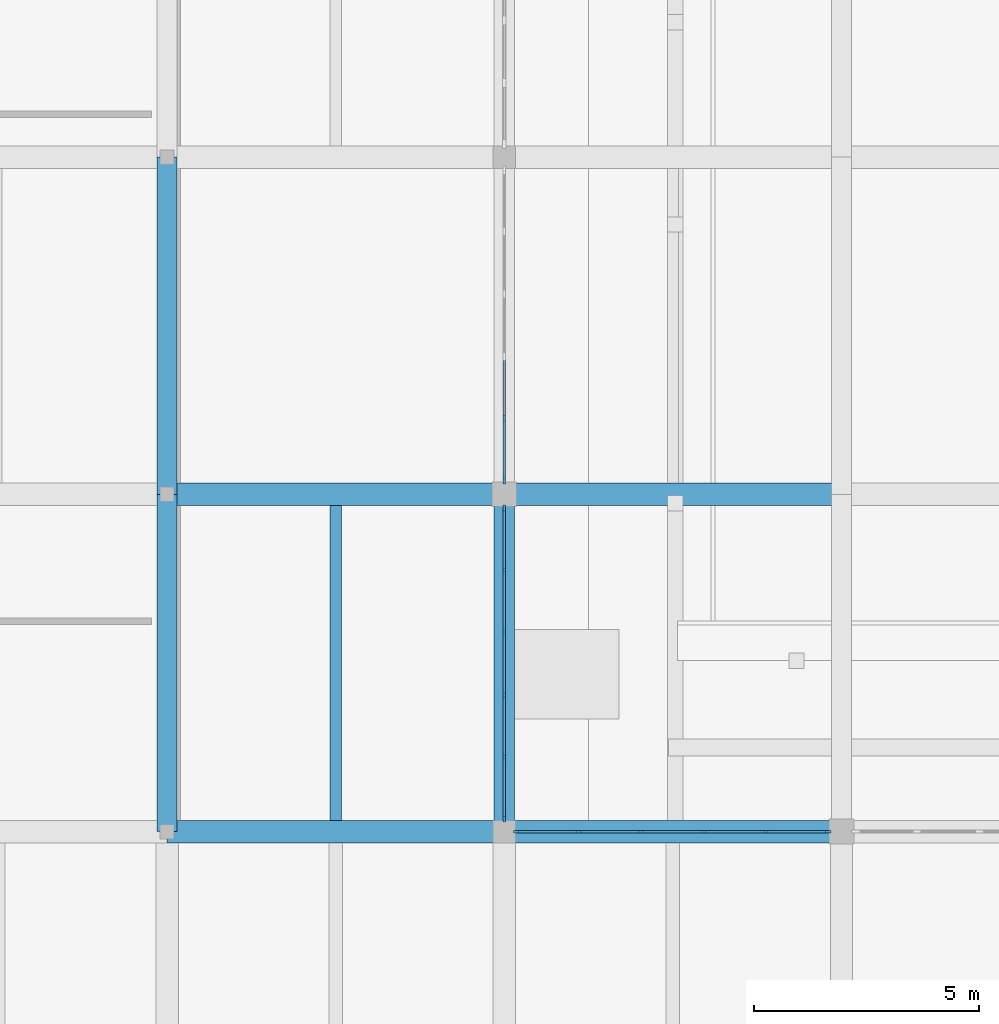
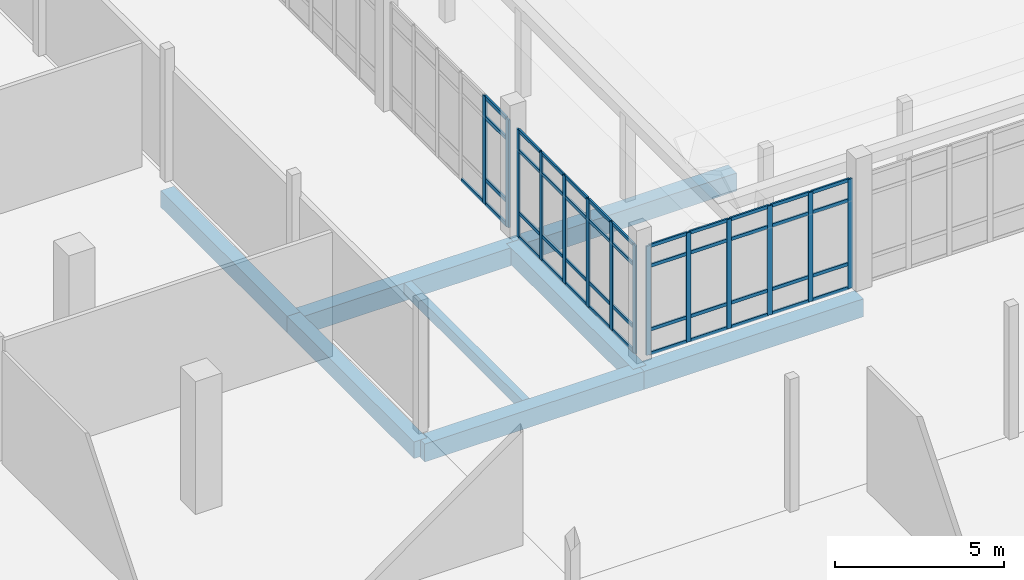
# One storey, part 24 of 125: 59 members, 8 beams, 3 elements without a shape of their own.
"""IFC4 building model written with IfcOpenShell, lengths in metres."""

import ifcopenshell
import ifcopenshell.guid

model = None  # the IFC model being written
_history = None  # IfcOwnerHistory: only IFC2X3 demands one
_inside = {}  # id of a spatial element -> (the spatial element, [elements in it])
_under = {}  # id of a project, library or spatial element -> (it, [spatial elements below it])
_declared = {}  # id of a project -> (the project, [libraries it declares])
_typed = {}  # id of a type object -> (the type object, [elements of that type])
_made_of = {}  # id of a material, layer set ... -> (it, [elements and type objects made of it])


def new_model(schema):
    """Start an empty IFC model of exactly this schema.

    Asked for "IFC4X3", IfcOpenShell would pick the latest addendum, in which some entities
    have other attributes; the version numbers below select the first issue.
    IFC2X3 requires an IfcOwnerHistory on every rooted entity: one is made here for all.
    """
    global model, _history
    if schema == "IFC4X3":
        model = ifcopenshell.file(schema_version=(4, 3, 0, 0))
    else:
        model = ifcopenshell.file(schema=schema)
    _inside.clear()
    _under.clear()
    _declared.clear()
    _typed.clear()
    _made_of.clear()
    _history = None
    if model.schema == "IFC2X3":
        org = make("IfcOrganization", Name="unknown")
        user = make(
            "IfcPersonAndOrganization",
            ThePerson=make("IfcPerson", FamilyName="unknown"),
            TheOrganization=org,
        )
        app = make(
            "IfcApplication",
            ApplicationDeveloper=org,
            Version="unknown",
            ApplicationFullName="unknown",
            ApplicationIdentifier="unknown",
        )
        _history = make(
            "IfcOwnerHistory",
            OwningUser=user,
            OwningApplication=app,
            ChangeAction="ADDED",
            CreationDate=0,
        )
    return model


def make(cls, **values):
    """One entity of the class cls with the attributes given. An attribute that is None is left unset."""
    return model.create_entity(
        cls, **{name: value for name, value in values.items() if value is not None}
    )


def rooted(cls, **values):
    """An entity with a GlobalId (a new one), such as an element, a storey or a relation."""
    return make(cls, GlobalId=ifcopenshell.guid.new(), OwnerHistory=_history, **values)


def si_unit(unit_type, name, prefix=None):
    """IfcSIUnit, for example si_unit("LENGTHUNIT", "METRE", prefix="MILLI")."""
    return make("IfcSIUnit", UnitType=unit_type, Prefix=prefix, Name=name)


def assignment(units):
    """IfcUnitAssignment: the units of a project."""
    return None if units is None else make("IfcUnitAssignment", Units=units)


def point(xyz):
    """IfcCartesianPoint."""
    return None if xyz is None else make("IfcCartesianPoint", Coordinates=xyz)


def direction(xyz):
    """IfcDirection."""
    return None if xyz is None else make("IfcDirection", DirectionRatios=xyz)


def frame(location, z_axis=None, x_axis=None):
    """IfcAxis2Placement3D, a coordinate frame: its origin and axes. An axis left out is left unset."""
    return make(
        "IfcAxis2Placement3D",
        Location=point(location),
        Axis=direction(z_axis),
        RefDirection=direction(x_axis),
    )


def frame_2d(location, x_axis=None):
    """IfcAxis2Placement2D, a coordinate frame in the plane: its origin and x axis."""
    return make(
        "IfcAxis2Placement2D", Location=point(location), RefDirection=direction(x_axis)
    )


def origin():
    """The frame at (0, 0, 0) with its axes left unset."""
    return frame((0.0, 0.0, 0.0))


def origin_2d():
    """The frame at (0, 0) in the plane with its x axis left unset."""
    return frame_2d((0.0, 0.0))


def place(relative_to, where):
    """IfcLocalPlacement: puts the frame where relative to a parent placement (None: the world)."""
    return make(
        "IfcLocalPlacement", PlacementRelTo=relative_to, RelativePlacement=where
    )


def context(
    kind, dimensions, precision=None, world=None, true_north=None, identifier=None
):
    """IfcGeometricRepresentationContext, for example the 3D "Model" context."""
    return make(
        "IfcGeometricRepresentationContext",
        ContextIdentifier=identifier,
        ContextType=kind,
        CoordinateSpaceDimension=dimensions,
        Precision=precision,
        WorldCoordinateSystem=world,
        TrueNorth=true_north,
    )


def subcontext(parent, identifier, kind, view, scale=None):
    """IfcGeometricRepresentationSubContext, for example "Body" below "Model"."""
    return make(
        "IfcGeometricRepresentationSubContext",
        ContextIdentifier=identifier,
        ContextType=kind,
        ParentContext=parent,
        TargetScale=scale,
        TargetView=view,
    )


def project(units=None, contexts=None):
    """IfcProject with its units and contexts."""
    return rooted(
        "IfcProject",
        Name="project",
        RepresentationContexts=contexts,
        UnitsInContext=assignment(units),
    )


def spatial(cls, under=None, at=None, **own):
    """A site, building, storey or space (cls), placed at a placement, below another one or the project."""
    s = rooted(cls, ObjectPlacement=at, **own)
    if under is not None:
        _under.setdefault(under.id(), (under, []))[1].append(s)
    return s


def profile(cls, at=None, kind="AREA", **sizes):
    """A parametric profile (cls). Its sizes go by their IFC names, for example OverallWidth=200.0."""
    return make(cls, ProfileType=kind, Position=at, **sizes)


def rectangle(**sizes):
    """IfcRectangleProfileDef."""
    return profile("IfcRectangleProfileDef", **sizes)


def extrude(swept, where, along, depth):
    """IfcExtrudedAreaSolid: the profile swept, set in the frame where, extruded along a direction by depth."""
    return make(
        "IfcExtrudedAreaSolid",
        SweptArea=swept,
        Position=where,
        ExtrudedDirection=direction(along),
        Depth=depth,
    )


def shape(context_of_items, identifier, shape_type, items):
    """IfcShapeRepresentation: the items that make up one representation, for example the "Body"."""
    return make(
        "IfcShapeRepresentation",
        ContextOfItems=context_of_items,
        RepresentationIdentifier=identifier,
        RepresentationType=shape_type,
        Items=items,
    )


def material(Name=None, Category=None):
    """IfcMaterial."""
    return make("IfcMaterial", Name=Name, Category=Category)


def layer(
    of_material, thickness, ventilated=None, Name=None, Category=None, Priority=None
):
    """IfcMaterialLayer: one layer of a wall or slab, of a material (None: an air gap)."""
    return make(
        "IfcMaterialLayer",
        Material=of_material,
        LayerThickness=thickness,
        IsVentilated=ventilated,
        Name=Name,
        Category=Category,
        Priority=Priority,
    )


def layer_set(layers, Name=None):
    """IfcMaterialLayerSet."""
    return make("IfcMaterialLayerSet", MaterialLayers=layers, LayerSetName=Name)


def material_profile(
    of_material, cross_section, Name=None, Category=None, Priority=None
):
    """IfcMaterialProfile: a cross section and its material."""
    return make(
        "IfcMaterialProfile",
        Name=Name,
        Material=of_material,
        Profile=cross_section,
        Priority=Priority,
        Category=Category,
    )


def profile_set(profiles, Name=None, composite=None):
    """IfcMaterialProfileSet."""
    return make(
        "IfcMaterialProfileSet",
        Name=Name,
        MaterialProfiles=profiles,
        CompositeProfile=composite,
    )


def made_of(thing, what):
    """Note that an element or type object is made of a material, layer set ...; save() writes the relation."""
    if what is not None:
        _made_of.setdefault(what.id(), (what, []))[1].append(thing)
    return thing


def type_object(cls, material=None, **own):
    """A type object (cls), such as IfcWallType, which elements share."""
    return made_of(rooted(cls, **own), material)


def element(
    cls,
    number,
    at=None,
    inside=None,
    cuts=None,
    type_object=None,
    material=None,
    context=None,
    identifier="Body",
    shape_type=None,
    held_by="IfcProductDefinitionShape",
    body=None,
    shapes=None,
    **own,
):
    """One element of the class cls, such as IfcWall. Its Tag is "e" and its number.

    at: its placement. inside: the storey or other place that contains it. cuts: it is an
    opening in that element (IfcRelVoidsElement). A single representation is given by context,
    identifier, shape_type and body (its items); several are given by shapes. held_by: the class
    of the entity that holds the representations. save() writes the other relations.
    """
    e = rooted(cls, Tag="e%d" % number, ObjectPlacement=at, **own)
    if body is not None:
        shapes = [shape(context, identifier, shape_type, body)]
    if shapes is not None:
        e.Representation = make(held_by, Representations=shapes)
    if inside is not None:
        _inside.setdefault(inside.id(), (inside, []))[1].append(e)
    if cuts is not None:
        rooted(
            "IfcRelVoidsElement", RelatingBuildingElement=cuts, RelatedOpeningElement=e
        )
    if type_object is not None:
        _typed.setdefault(type_object.id(), (type_object, []))[1].append(e)
    return made_of(e, material)


def aggregate(whole, parts):
    """IfcRelAggregates: a whole, such as a stair, and the parts it consists of."""
    return rooted("IfcRelAggregates", RelatingObject=whole, RelatedObjects=parts)


def save(model, path):
    """Write the relations noted so far, then the file.

    IfcRelAggregates (storeys below a building ...), IfcRelContainedInSpatialStructure (elements
    in a storey), IfcRelDefinesByType, IfcRelAssociatesMaterial and IfcRelDeclares: one each for
    every whole, place, type object, material and project.
    """
    for whole, parts in _under.values():
        aggregate(whole, parts)
    for where, things in _inside.values():
        rooted(
            "IfcRelContainedInSpatialStructure",
            RelatedElements=things,
            RelatingStructure=where,
        )
    for kind, things in _typed.values():
        rooted("IfcRelDefinesByType", RelatedObjects=things, RelatingType=kind)
    for what, things in _made_of.values():
        rooted("IfcRelAssociatesMaterial", RelatedObjects=things, RelatingMaterial=what)
    for by, libraries in _declared.values():
        rooted("IfcRelDeclares", RelatingContext=by, RelatedDefinitions=libraries)
    model.write(path)


model = new_model("IFC4")

# Units and contexts
model_context = context("Model", 3, precision=1e-05, world=origin(), true_north=direction((0.0, 1.0)))
body_context = subcontext(model_context, "Body", "Model", "MODEL_VIEW")
ifc_project = project(units=[si_unit("LENGTHUNIT", "METRE"), si_unit("AREAUNIT", "SQUARE_METRE"), si_unit("VOLUMEUNIT", "CUBIC_METRE"), si_unit("PLANEANGLEUNIT", "RADIAN"), si_unit("MASSUNIT", "GRAM", prefix="KILO")], contexts=[model_context])

# Site, building, storey
site_placement = place(None, origin())
site = spatial("IfcSite", under=ifc_project, at=site_placement, CompositionType="ELEMENT")
building_placement = place(site_placement, origin())
building = spatial("IfcBuilding", under=site, at=building_placement, Name="Dalvernix Boulevard General Hospital", CompositionType="ELEMENT")
storey_placement = place(building_placement, origin())
storey = spatial("IfcBuildingStorey", under=building, at=storey_placement, Name="L00", CompositionType="ELEMENT", Elevation=0.0)

# Beams
ifc_material_1 = material(Name="Concrete C35/45", Category="concrete")
ifc_material_profile_1 = material_profile(ifc_material_1, rectangle(XDim=0.5, YDim=0.64990234375, at=origin_2d()), Name="RCB 500x650")
ifc_profile_set_1 = profile_set([ifc_material_profile_1], Name="Concrete C35/45")
beam_type_1 = type_object("IfcBeamType", Name="BM-B-02-I", PredefinedType="BEAM", material=ifc_profile_set_1)
for number, where, z_axis, x_axis, name in (
    (1, (30.0, 31.5, -0.68505859375), (1.0, 0.0, 0.0), (0.0, 1.0, 0.0), "L00 E-W girder E:5-6"),
    (2, (37.5, 31.5, -0.68505859375), (1.0, 0.0, 0.0), (0.0, 1.0, 0.0), "L00 E-W girder E:6-7"),
    (3, (30.0, 39.0, -0.68505859375), (1.0, 0.0, 0.0), (0.0, 1.0, 0.0), "L00 E-W girder F:5-6"),
    (4, (37.5, 39.0, -0.68505859375), (1.0, 0.0, 0.0), (0.0, 1.0, 0.0), "L00 E-W girder F:6-7"),
):
    element("IfcBeam", number, at=place(storey_placement, frame(where, z_axis=z_axis, x_axis=x_axis)), inside=storey, type_object=beam_type_1, Name=name, PredefinedType="BEAM", context=body_context, shape_type="SweptSolid", body=[
        extrude(rectangle(XDim=0.5, YDim=0.64990234375, at=origin_2d()), origin(), (0.0, 0.0, 1.0), 7.5),
    ])
ifc_material_profile_2 = material_profile(ifc_material_1, rectangle(XDim=0.449951171875, YDim=0.60009765625, at=origin_2d()), Name="RCB 450x600")
ifc_profile_set_2 = profile_set([ifc_material_profile_2], Name="Concrete C35/45")
beam_type_2 = type_object("IfcBeamType", Name="BM-B-04-I", PredefinedType="BEAM", material=ifc_profile_set_2)
for number, where, z_axis, x_axis, name in (
    (5, (30.0, 31.5, -0.659912109375), (0.0, 1.0, 0.0), (-1.0, 0.0, 0.0), "L00 N-S girder 5:E-F"),
    (6, (30.0, 39.0, -0.659912109375), (0.0, 1.0, 0.0), (-1.0, 0.0, 0.0), "L00 N-S girder 5:F-G"),
    (7, (37.5, 31.5, -0.659912109375), (0.0, 1.0, 0.0), (-1.0, 0.0, 0.0), "L00 N-S girder 6:E-F"),
):
    element("IfcBeam", number, at=place(storey_placement, frame(where, z_axis=z_axis, x_axis=x_axis)), inside=storey, type_object=beam_type_2, Name=name, PredefinedType="BEAM", context=body_context, shape_type="SweptSolid", body=[
        extrude(rectangle(XDim=0.449951171875, YDim=0.60009765625, at=origin_2d()), origin(), (0.0, 0.0, 1.0), 7.5),
    ])
ifc_material_profile_3 = material_profile(ifc_material_1, rectangle(XDim=0.25, YDim=0.39990234375, at=origin_2d()), Name="RCB 250x400")
ifc_profile_set_3 = profile_set([ifc_material_profile_3], Name="Concrete C35/45")
beam_type_3 = type_object("IfcBeamType", Name="BM-JB-02", PredefinedType="JOIST", material=ifc_profile_set_3)
beam_placement = place(storey_placement, frame((33.75, 31.75, -0.56005859375), z_axis=(0.0, 1.0, 0.0), x_axis=(-1.0, 0.0, 0.0)))
element("IfcBeam", 8, at=beam_placement, inside=storey, type_object=beam_type_3, Name="L00 secondary floor beam 5-E", PredefinedType="JOIST", context=body_context, shape_type="SweptSolid", body=[
    extrude(rectangle(XDim=0.25, YDim=0.39990234375, at=origin_2d()), origin(), (0.0, 0.0, 1.0), 7.0),
])

# Curtain wall, members
ifc_material_2 = material(Name="Thermally broken aluminium and solar-control glass curtain wall", Category="aluminium")
ifc_layer_1 = layer(ifc_material_2, 0.159912109375)
ifc_layer_set_1 = layer_set([ifc_layer_1], Name="Thermally broken aluminium and solar-control glass curtain wall (CW-CW-A-70x39)")
curtain_wall_type_1 = type_object("IfcCurtainWallType", Name="CW-CW-A-70x39", PredefinedType="USERDEFINED", material=ifc_layer_set_1)
curtain_wall_1_placement = place(storey_placement, origin())
curtain_wall_1 = element("IfcCurtainWall", 9, at=curtain_wall_1_placement, inside=storey, type_object=curtain_wall_type_1, Name="L00 curtain wall CW-A-70x39 5-4", ObjectType="GLAZED FACADE", PredefinedType="USERDEFINED")
ifc_material_3 = material(Name="Aluminium EN AW-6060", Category="aluminium")
ifc_material_profile_4 = material_profile(ifc_material_3, rectangle(XDim=0.06005859375, YDim=0.159912109375, at=origin_2d()), Name="ALU MULL 60x160")
ifc_profile_set_4 = profile_set([ifc_material_profile_4], Name="Aluminium EN AW-6060")
member_type_1 = type_object("IfcMemberType", Name="MEM-CW-M1", PredefinedType="MULLION", material=ifc_profile_set_4)
member_1_placement = place(storey_placement, frame((37.5, 38.68505859375, 0.0), z_axis=(0.0, 0.0, 1.0), x_axis=(1.0, 0.0, 0.0)))
member_1 = element("IfcMember", 10, at=member_1_placement, type_object=member_type_1, Name="CW-A-70x39 mullion 1", PredefinedType="MULLION", context=body_context, shape_type="SweptSolid", body=[
    extrude(rectangle(XDim=0.06005859375, YDim=0.159912109375, at=origin_2d()), origin(), (0.0, 0.0, 1.0), 3.89990234375),
])
member_2_placement = place(storey_placement, frame((37.5, 37.323974609375, 0.0), z_axis=(0.0, 0.0, 1.0), x_axis=(1.0, 0.0, 0.0)))
member_2 = element("IfcMember", 11, at=member_2_placement, type_object=member_type_1, Name="CW-A-70x39 mullion 2", PredefinedType="MULLION", context=body_context, shape_type="SweptSolid", body=[
    extrude(rectangle(XDim=0.06005859375, YDim=0.159912109375, at=origin_2d()), origin(), (0.0, 0.0, 1.0), 3.89990234375),
])
member_3_placement = place(storey_placement, frame((37.5, 35.93310546875, 0.0), z_axis=(0.0, 0.0, 1.0), x_axis=(1.0, 0.0, 0.0)))
member_3 = element("IfcMember", 12, at=member_3_placement, type_object=member_type_1, Name="CW-A-70x39 mullion 3", PredefinedType="MULLION", context=body_context, shape_type="SweptSolid", body=[
    extrude(rectangle(XDim=0.06005859375, YDim=0.159912109375, at=origin_2d()), origin(), (0.0, 0.0, 1.0), 3.89990234375),
])
member_4_placement = place(storey_placement, frame((37.5, 34.5419921875, 0.0), z_axis=(0.0, 0.0, 1.0), x_axis=(1.0, 0.0, 0.0)))
member_4 = element("IfcMember", 13, at=member_4_placement, type_object=member_type_1, Name="CW-A-70x39 mullion 4", PredefinedType="MULLION", context=body_context, shape_type="SweptSolid", body=[
    extrude(rectangle(XDim=0.06005859375, YDim=0.159912109375, at=origin_2d()), origin(), (0.0, 0.0, 1.0), 3.89990234375),
])
member_5_placement = place(storey_placement, frame((37.5, 33.15087890625, 0.0), z_axis=(0.0, 0.0, 1.0), x_axis=(1.0, 0.0, 0.0)))
member_5 = element("IfcMember", 14, at=member_5_placement, type_object=member_type_1, Name="CW-A-70x39 mullion 5", PredefinedType="MULLION", context=body_context, shape_type="SweptSolid", body=[
    extrude(rectangle(XDim=0.06005859375, YDim=0.159912109375, at=origin_2d()), origin(), (0.0, 0.0, 1.0), 3.89990234375),
])
member_6_placement = place(storey_placement, frame((37.5, 31.7900390625, 0.0), z_axis=(0.0, 0.0, 1.0), x_axis=(1.0, 0.0, 0.0)))
member_6 = element("IfcMember", 15, at=member_6_placement, type_object=member_type_1, Name="CW-A-70x39 mullion 6", PredefinedType="MULLION", context=body_context, shape_type="SweptSolid", body=[
    extrude(rectangle(XDim=0.06005859375, YDim=0.159912109375, at=origin_2d()), origin(), (0.0, 0.0, 1.0), 3.89990234375),
])

ifc_layer_2 = layer(ifc_material_2, 0.159912109375)
ifc_layer_set_2 = layer_set([ifc_layer_2], Name="Thermally broken aluminium and solar-control glass curtain wall (CW-CW-A-70x40)")
curtain_wall_type_2 = type_object("IfcCurtainWallType", Name="CW-CW-A-70x40", PredefinedType="USERDEFINED", material=ifc_layer_set_2)
curtain_wall_2_placement = place(storey_placement, origin())
curtain_wall_2 = element("IfcCurtainWall", 16, at=curtain_wall_2_placement, inside=storey, type_object=curtain_wall_type_2, Name="L00 curtain wall CW-A-70x40 5-4", ObjectType="GLAZED FACADE", PredefinedType="USERDEFINED")
member_7_placement = place(storey_placement, frame((37.7900390625, 31.5, 0.0), z_axis=(0.0, 0.0, 1.0), x_axis=(0.0, 1.0, 0.0)))
member_7 = element("IfcMember", 17, at=member_7_placement, type_object=member_type_1, Name="CW-A-70x40 mullion 1", PredefinedType="MULLION", context=body_context, shape_type="SweptSolid", body=[
    extrude(rectangle(XDim=0.06005859375, YDim=0.159912109375, at=origin_2d()), origin(), (0.0, 0.0, 1.0), 3.949951171875),
])
member_8_placement = place(storey_placement, frame((39.15087890625, 31.5, 0.0), z_axis=(0.0, 0.0, 1.0), x_axis=(0.0, 1.0, 0.0)))
member_8 = element("IfcMember", 18, at=member_8_placement, type_object=member_type_1, Name="CW-A-70x40 mullion 2", PredefinedType="MULLION", context=body_context, shape_type="SweptSolid", body=[
    extrude(rectangle(XDim=0.06005859375, YDim=0.159912109375, at=origin_2d()), origin(), (0.0, 0.0, 1.0), 3.949951171875),
])
member_9_placement = place(storey_placement, frame((40.5419921875, 31.5, 0.0), z_axis=(0.0, 0.0, 1.0), x_axis=(0.0, 1.0, 0.0)))
member_9 = element("IfcMember", 19, at=member_9_placement, type_object=member_type_1, Name="CW-A-70x40 mullion 3", PredefinedType="MULLION", context=body_context, shape_type="SweptSolid", body=[
    extrude(rectangle(XDim=0.06005859375, YDim=0.159912109375, at=origin_2d()), origin(), (0.0, 0.0, 1.0), 3.949951171875),
])
member_10_placement = place(storey_placement, frame((41.93310546875, 31.5, 0.0), z_axis=(0.0, 0.0, 1.0), x_axis=(0.0, 1.0, 0.0)))
member_10 = element("IfcMember", 20, at=member_10_placement, type_object=member_type_1, Name="CW-A-70x40 mullion 4", PredefinedType="MULLION", context=body_context, shape_type="SweptSolid", body=[
    extrude(rectangle(XDim=0.06005859375, YDim=0.159912109375, at=origin_2d()), origin(), (0.0, 0.0, 1.0), 3.949951171875),
])
member_11_placement = place(storey_placement, frame((43.323974609375, 31.5, 0.0), z_axis=(0.0, 0.0, 1.0), x_axis=(0.0, 1.0, 0.0)))
member_11 = element("IfcMember", 21, at=member_11_placement, type_object=member_type_1, Name="CW-A-70x40 mullion 5", PredefinedType="MULLION", context=body_context, shape_type="SweptSolid", body=[
    extrude(rectangle(XDim=0.06005859375, YDim=0.159912109375, at=origin_2d()), origin(), (0.0, 0.0, 1.0), 3.949951171875),
])
member_12_placement = place(storey_placement, frame((44.68505859375, 31.5, 0.0), z_axis=(0.0, 0.0, 1.0), x_axis=(0.0, 1.0, 0.0)))
member_12 = element("IfcMember", 22, at=member_12_placement, type_object=member_type_1, Name="CW-A-70x40 mullion 6", PredefinedType="MULLION", context=body_context, shape_type="SweptSolid", body=[
    extrude(rectangle(XDim=0.06005859375, YDim=0.159912109375, at=origin_2d()), origin(), (0.0, 0.0, 1.0), 3.949951171875),
])

ifc_layer_3 = layer(ifc_material_2, 0.179931640625)
ifc_layer_set_3 = layer_set([ifc_layer_3], Name="Thermally broken aluminium and solar-control glass curtain wall (CW-CW-B-70x39)")
curtain_wall_type_3 = type_object("IfcCurtainWallType", Name="CW-CW-B-70x39", PredefinedType="USERDEFINED", material=ifc_layer_set_3)
curtain_wall_3_placement = place(storey_placement, origin())
curtain_wall_3 = element("IfcCurtainWall", 23, at=curtain_wall_3_placement, inside=storey, type_object=curtain_wall_type_3, Name="L00 curtain wall CW-B-70x39 5-5", ObjectType="GLAZED FACADE", PredefinedType="USERDEFINED")
ifc_material_profile_5 = material_profile(ifc_material_3, rectangle(XDim=0.06494140625, YDim=0.179931640625, at=origin_2d()), Name="ALU MULL 65x180")
ifc_profile_set_5 = profile_set([ifc_material_profile_5], Name="Aluminium EN AW-6060")
member_type_2 = type_object("IfcMemberType", Name="MEM-CW-M2", PredefinedType="MULLION", material=ifc_profile_set_5)
member_13_placement = place(storey_placement, frame((37.5, 40.676025390625, 0.0), z_axis=(0.0, 0.0, 1.0), x_axis=(1.0, 0.0, 0.0)))
member_13 = element("IfcMember", 24, at=member_13_placement, type_object=member_type_2, Name="CW-B-70x39 mullion 5", PredefinedType="MULLION", context=body_context, shape_type="SweptSolid", body=[
    extrude(rectangle(XDim=0.06494140625, YDim=0.179931640625, at=origin_2d()), origin(), (0.0, 0.0, 1.0), 3.89990234375),
])
member_14_placement = place(storey_placement, frame((37.5, 39.3173828125, 0.0), z_axis=(0.0, 0.0, 1.0), x_axis=(1.0, 0.0, 0.0)))
member_14 = element("IfcMember", 25, at=member_14_placement, type_object=member_type_2, Name="CW-B-70x39 mullion 6", PredefinedType="MULLION", context=body_context, shape_type="SweptSolid", body=[
    extrude(rectangle(XDim=0.06494140625, YDim=0.179931640625, at=origin_2d()), origin(), (0.0, 0.0, 1.0), 3.89990234375),
])

# Member
ifc_material_profile_6 = material_profile(ifc_material_3, rectangle(XDim=0.06005859375, YDim=0.1201171875, at=origin_2d()), Name="ALU TRAN 60x120")
ifc_profile_set_6 = profile_set([ifc_material_profile_6], Name="Aluminium EN AW-6060")
member_type_3 = type_object("IfcMemberType", Name="MEM-CW-T1", PredefinedType="USERDEFINED", material=ifc_profile_set_6)
member_15_placement = place(storey_placement, frame((37.5, 38.655029296875, 0.030029296875), z_axis=(0.0, -1.0, 0.0), x_axis=(1.0, 0.0, 0.0)))
member_15 = element("IfcMember", 26, at=member_15_placement, type_object=member_type_3, Name="CW-A-70x39 transom 1.1", ObjectType="TRANSOM", PredefinedType="USERDEFINED", context=body_context, shape_type="SweptSolid", body=[
    extrude(rectangle(XDim=0.06005859375, YDim=0.1201171875, at=origin_2d()), origin(), (0.0, 0.0, 1.0), 1.301025390625),
])

member_16_placement = place(storey_placement, frame((37.5, 38.655029296875, 0.89990234375), z_axis=(0.0, -1.0, 0.0), x_axis=(1.0, 0.0, 0.0)))
member_16 = element("IfcMember", 27, at=member_16_placement, type_object=member_type_3, Name="CW-A-70x39 transom 1.2", ObjectType="TRANSOM", PredefinedType="USERDEFINED", context=body_context, shape_type="SweptSolid", body=[
    extrude(rectangle(XDim=0.06005859375, YDim=0.1201171875, at=origin_2d()), origin(), (0.0, 0.0, 1.0), 1.301025390625),
])

member_17_placement = place(storey_placement, frame((37.5, 38.655029296875, 3.14990234375), z_axis=(0.0, -1.0, 0.0), x_axis=(1.0, 0.0, 0.0)))
member_17 = element("IfcMember", 28, at=member_17_placement, type_object=member_type_3, Name="CW-A-70x39 transom 1.3", ObjectType="TRANSOM", PredefinedType="USERDEFINED", context=body_context, shape_type="SweptSolid", body=[
    extrude(rectangle(XDim=0.06005859375, YDim=0.1201171875, at=origin_2d()), origin(), (0.0, 0.0, 1.0), 1.301025390625),
])

member_18_placement = place(storey_placement, frame((37.5, 38.655029296875, 3.8701171875), z_axis=(0.0, -1.0, 0.0), x_axis=(1.0, 0.0, 0.0)))
member_18 = element("IfcMember", 29, at=member_18_placement, type_object=member_type_3, Name="CW-A-70x39 transom 1.4", ObjectType="TRANSOM", PredefinedType="USERDEFINED", context=body_context, shape_type="SweptSolid", body=[
    extrude(rectangle(XDim=0.06005859375, YDim=0.1201171875, at=origin_2d()), origin(), (0.0, 0.0, 1.0), 1.301025390625),
])

member_19_placement = place(storey_placement, frame((37.5, 37.2939453125, 0.030029296875), z_axis=(0.0, -1.0, 0.0), x_axis=(1.0, 0.0, 0.0)))
member_19 = element("IfcMember", 30, at=member_19_placement, type_object=member_type_3, Name="CW-A-70x39 transom 2.1", ObjectType="TRANSOM", PredefinedType="USERDEFINED", context=body_context, shape_type="SweptSolid", body=[
    extrude(rectangle(XDim=0.06005859375, YDim=0.1201171875, at=origin_2d()), origin(), (0.0, 0.0, 1.0), 1.3310546875),
])

member_20_placement = place(storey_placement, frame((37.5, 37.2939453125, 0.89990234375), z_axis=(0.0, -1.0, 0.0), x_axis=(1.0, 0.0, 0.0)))
member_20 = element("IfcMember", 31, at=member_20_placement, type_object=member_type_3, Name="CW-A-70x39 transom 2.2", ObjectType="TRANSOM", PredefinedType="USERDEFINED", context=body_context, shape_type="SweptSolid", body=[
    extrude(rectangle(XDim=0.06005859375, YDim=0.1201171875, at=origin_2d()), origin(), (0.0, 0.0, 1.0), 1.3310546875),
])

member_21_placement = place(storey_placement, frame((37.5, 37.2939453125, 3.14990234375), z_axis=(0.0, -1.0, 0.0), x_axis=(1.0, 0.0, 0.0)))
member_21 = element("IfcMember", 32, at=member_21_placement, type_object=member_type_3, Name="CW-A-70x39 transom 2.3", ObjectType="TRANSOM", PredefinedType="USERDEFINED", context=body_context, shape_type="SweptSolid", body=[
    extrude(rectangle(XDim=0.06005859375, YDim=0.1201171875, at=origin_2d()), origin(), (0.0, 0.0, 1.0), 1.3310546875),
])

member_22_placement = place(storey_placement, frame((37.5, 37.2939453125, 3.8701171875), z_axis=(0.0, -1.0, 0.0), x_axis=(1.0, 0.0, 0.0)))
member_22 = element("IfcMember", 33, at=member_22_placement, type_object=member_type_3, Name="CW-A-70x39 transom 2.4", ObjectType="TRANSOM", PredefinedType="USERDEFINED", context=body_context, shape_type="SweptSolid", body=[
    extrude(rectangle(XDim=0.06005859375, YDim=0.1201171875, at=origin_2d()), origin(), (0.0, 0.0, 1.0), 1.3310546875),
])

member_23_placement = place(storey_placement, frame((37.5, 35.903076171875, 0.030029296875), z_axis=(0.0, -1.0, 0.0), x_axis=(1.0, 0.0, 0.0)))
member_23 = element("IfcMember", 34, at=member_23_placement, type_object=member_type_3, Name="CW-A-70x39 transom 3.1", ObjectType="TRANSOM", PredefinedType="USERDEFINED", context=body_context, shape_type="SweptSolid", body=[
    extrude(rectangle(XDim=0.06005859375, YDim=0.1201171875, at=origin_2d()), origin(), (0.0, 0.0, 1.0), 1.3310546875),
])

member_24_placement = place(storey_placement, frame((37.5, 35.903076171875, 0.89990234375), z_axis=(0.0, -1.0, 0.0), x_axis=(1.0, 0.0, 0.0)))
member_24 = element("IfcMember", 35, at=member_24_placement, type_object=member_type_3, Name="CW-A-70x39 transom 3.2", ObjectType="TRANSOM", PredefinedType="USERDEFINED", context=body_context, shape_type="SweptSolid", body=[
    extrude(rectangle(XDim=0.06005859375, YDim=0.1201171875, at=origin_2d()), origin(), (0.0, 0.0, 1.0), 1.3310546875),
])

member_25_placement = place(storey_placement, frame((37.5, 35.903076171875, 3.14990234375), z_axis=(0.0, -1.0, 0.0), x_axis=(1.0, 0.0, 0.0)))
member_25 = element("IfcMember", 36, at=member_25_placement, type_object=member_type_3, Name="CW-A-70x39 transom 3.3", ObjectType="TRANSOM", PredefinedType="USERDEFINED", context=body_context, shape_type="SweptSolid", body=[
    extrude(rectangle(XDim=0.06005859375, YDim=0.1201171875, at=origin_2d()), origin(), (0.0, 0.0, 1.0), 1.3310546875),
])

member_26_placement = place(storey_placement, frame((37.5, 35.903076171875, 3.8701171875), z_axis=(0.0, -1.0, 0.0), x_axis=(1.0, 0.0, 0.0)))
member_26 = element("IfcMember", 37, at=member_26_placement, type_object=member_type_3, Name="CW-A-70x39 transom 3.4", ObjectType="TRANSOM", PredefinedType="USERDEFINED", context=body_context, shape_type="SweptSolid", body=[
    extrude(rectangle(XDim=0.06005859375, YDim=0.1201171875, at=origin_2d()), origin(), (0.0, 0.0, 1.0), 1.3310546875),
])

member_27_placement = place(storey_placement, frame((37.5, 34.511962890625, 0.030029296875), z_axis=(0.0, -1.0, 0.0), x_axis=(1.0, 0.0, 0.0)))
member_27 = element("IfcMember", 38, at=member_27_placement, type_object=member_type_3, Name="CW-A-70x39 transom 4.1", ObjectType="TRANSOM", PredefinedType="USERDEFINED", context=body_context, shape_type="SweptSolid", body=[
    extrude(rectangle(XDim=0.06005859375, YDim=0.1201171875, at=origin_2d()), origin(), (0.0, 0.0, 1.0), 1.3310546875),
])

member_28_placement = place(storey_placement, frame((37.5, 34.511962890625, 0.89990234375), z_axis=(0.0, -1.0, 0.0), x_axis=(1.0, 0.0, 0.0)))
member_28 = element("IfcMember", 39, at=member_28_placement, type_object=member_type_3, Name="CW-A-70x39 transom 4.2", ObjectType="TRANSOM", PredefinedType="USERDEFINED", context=body_context, shape_type="SweptSolid", body=[
    extrude(rectangle(XDim=0.06005859375, YDim=0.1201171875, at=origin_2d()), origin(), (0.0, 0.0, 1.0), 1.3310546875),
])

member_29_placement = place(storey_placement, frame((37.5, 34.511962890625, 3.14990234375), z_axis=(0.0, -1.0, 0.0), x_axis=(1.0, 0.0, 0.0)))
member_29 = element("IfcMember", 40, at=member_29_placement, type_object=member_type_3, Name="CW-A-70x39 transom 4.3", ObjectType="TRANSOM", PredefinedType="USERDEFINED", context=body_context, shape_type="SweptSolid", body=[
    extrude(rectangle(XDim=0.06005859375, YDim=0.1201171875, at=origin_2d()), origin(), (0.0, 0.0, 1.0), 1.3310546875),
])

member_30_placement = place(storey_placement, frame((37.5, 34.511962890625, 3.8701171875), z_axis=(0.0, -1.0, 0.0), x_axis=(1.0, 0.0, 0.0)))
member_30 = element("IfcMember", 41, at=member_30_placement, type_object=member_type_3, Name="CW-A-70x39 transom 4.4", ObjectType="TRANSOM", PredefinedType="USERDEFINED", context=body_context, shape_type="SweptSolid", body=[
    extrude(rectangle(XDim=0.06005859375, YDim=0.1201171875, at=origin_2d()), origin(), (0.0, 0.0, 1.0), 1.3310546875),
])

member_31_placement = place(storey_placement, frame((37.5, 33.12109375, 0.030029296875), z_axis=(0.0, -1.0, 0.0), x_axis=(1.0, 0.0, 0.0)))
member_31 = element("IfcMember", 42, at=member_31_placement, type_object=member_type_3, Name="CW-A-70x39 transom 5.1", ObjectType="TRANSOM", PredefinedType="USERDEFINED", context=body_context, shape_type="SweptSolid", body=[
    extrude(rectangle(XDim=0.06005859375, YDim=0.1201171875, at=origin_2d()), origin(), (0.0, 0.0, 1.0), 1.301025390625),
])

member_32_placement = place(storey_placement, frame((37.5, 33.12109375, 0.89990234375), z_axis=(0.0, -1.0, 0.0), x_axis=(1.0, 0.0, 0.0)))
member_32 = element("IfcMember", 43, at=member_32_placement, type_object=member_type_3, Name="CW-A-70x39 transom 5.2", ObjectType="TRANSOM", PredefinedType="USERDEFINED", context=body_context, shape_type="SweptSolid", body=[
    extrude(rectangle(XDim=0.06005859375, YDim=0.1201171875, at=origin_2d()), origin(), (0.0, 0.0, 1.0), 1.301025390625),
])

member_33_placement = place(storey_placement, frame((37.5, 33.12109375, 3.14990234375), z_axis=(0.0, -1.0, 0.0), x_axis=(1.0, 0.0, 0.0)))
member_33 = element("IfcMember", 44, at=member_33_placement, type_object=member_type_3, Name="CW-A-70x39 transom 5.3", ObjectType="TRANSOM", PredefinedType="USERDEFINED", context=body_context, shape_type="SweptSolid", body=[
    extrude(rectangle(XDim=0.06005859375, YDim=0.1201171875, at=origin_2d()), origin(), (0.0, 0.0, 1.0), 1.301025390625),
])

member_34_placement = place(storey_placement, frame((37.5, 33.12109375, 3.8701171875), z_axis=(0.0, -1.0, 0.0), x_axis=(1.0, 0.0, 0.0)))
member_34 = element("IfcMember", 45, at=member_34_placement, type_object=member_type_3, Name="CW-A-70x39 transom 5.4", ObjectType="TRANSOM", PredefinedType="USERDEFINED", context=body_context, shape_type="SweptSolid", body=[
    extrude(rectangle(XDim=0.06005859375, YDim=0.1201171875, at=origin_2d()), origin(), (0.0, 0.0, 1.0), 1.301025390625),
])

aggregate(curtain_wall_1, [member_1, member_2, member_3, member_4, member_5, member_6, member_15, member_16, member_17, member_18, member_19, member_20, member_21, member_22, member_23, member_24, member_25, member_26, member_27, member_28, member_29, member_30, member_31, member_32, member_33, member_34])

member_35_placement = place(storey_placement, frame((37.820068359375, 31.5, 0.030029296875), z_axis=(1.0, 0.0, 0.0), x_axis=(0.0, 1.0, 0.0)))
member_35 = element("IfcMember", 46, at=member_35_placement, type_object=member_type_3, Name="CW-A-70x40 transom 1.1", ObjectType="TRANSOM", PredefinedType="USERDEFINED", context=body_context, shape_type="SweptSolid", body=[
    extrude(rectangle(XDim=0.06005859375, YDim=0.1201171875, at=origin_2d()), origin(), (0.0, 0.0, 1.0), 1.301025390625),
])

member_36_placement = place(storey_placement, frame((37.820068359375, 31.5, 0.89990234375), z_axis=(1.0, 0.0, 0.0), x_axis=(0.0, 1.0, 0.0)))
member_36 = element("IfcMember", 47, at=member_36_placement, type_object=member_type_3, Name="CW-A-70x40 transom 1.2", ObjectType="TRANSOM", PredefinedType="USERDEFINED", context=body_context, shape_type="SweptSolid", body=[
    extrude(rectangle(XDim=0.06005859375, YDim=0.1201171875, at=origin_2d()), origin(), (0.0, 0.0, 1.0), 1.301025390625),
])

member_37_placement = place(storey_placement, frame((37.820068359375, 31.5, 3.199951171875), z_axis=(1.0, 0.0, 0.0), x_axis=(0.0, 1.0, 0.0)))
member_37 = element("IfcMember", 48, at=member_37_placement, type_object=member_type_3, Name="CW-A-70x40 transom 1.3", ObjectType="TRANSOM", PredefinedType="USERDEFINED", context=body_context, shape_type="SweptSolid", body=[
    extrude(rectangle(XDim=0.06005859375, YDim=0.1201171875, at=origin_2d()), origin(), (0.0, 0.0, 1.0), 1.301025390625),
])

member_38_placement = place(storey_placement, frame((37.820068359375, 31.5, 3.919921875), z_axis=(1.0, 0.0, 0.0), x_axis=(0.0, 1.0, 0.0)))
member_38 = element("IfcMember", 49, at=member_38_placement, type_object=member_type_3, Name="CW-A-70x40 transom 1.4", ObjectType="TRANSOM", PredefinedType="USERDEFINED", context=body_context, shape_type="SweptSolid", body=[
    extrude(rectangle(XDim=0.06005859375, YDim=0.1201171875, at=origin_2d()), origin(), (0.0, 0.0, 1.0), 1.301025390625),
])

member_39_placement = place(storey_placement, frame((39.180908203125, 31.5, 0.030029296875), z_axis=(1.0, 0.0, 0.0), x_axis=(0.0, 1.0, 0.0)))
member_39 = element("IfcMember", 50, at=member_39_placement, type_object=member_type_3, Name="CW-A-70x40 transom 2.1", ObjectType="TRANSOM", PredefinedType="USERDEFINED", context=body_context, shape_type="SweptSolid", body=[
    extrude(rectangle(XDim=0.06005859375, YDim=0.1201171875, at=origin_2d()), origin(), (0.0, 0.0, 1.0), 1.3310546875),
])

member_40_placement = place(storey_placement, frame((39.180908203125, 31.5, 0.89990234375), z_axis=(1.0, 0.0, 0.0), x_axis=(0.0, 1.0, 0.0)))
member_40 = element("IfcMember", 51, at=member_40_placement, type_object=member_type_3, Name="CW-A-70x40 transom 2.2", ObjectType="TRANSOM", PredefinedType="USERDEFINED", context=body_context, shape_type="SweptSolid", body=[
    extrude(rectangle(XDim=0.06005859375, YDim=0.1201171875, at=origin_2d()), origin(), (0.0, 0.0, 1.0), 1.3310546875),
])

member_41_placement = place(storey_placement, frame((39.180908203125, 31.5, 3.199951171875), z_axis=(1.0, 0.0, 0.0), x_axis=(0.0, 1.0, 0.0)))
member_41 = element("IfcMember", 52, at=member_41_placement, type_object=member_type_3, Name="CW-A-70x40 transom 2.3", ObjectType="TRANSOM", PredefinedType="USERDEFINED", context=body_context, shape_type="SweptSolid", body=[
    extrude(rectangle(XDim=0.06005859375, YDim=0.1201171875, at=origin_2d()), origin(), (0.0, 0.0, 1.0), 1.3310546875),
])

member_42_placement = place(storey_placement, frame((39.180908203125, 31.5, 3.919921875), z_axis=(1.0, 0.0, 0.0), x_axis=(0.0, 1.0, 0.0)))
member_42 = element("IfcMember", 53, at=member_42_placement, type_object=member_type_3, Name="CW-A-70x40 transom 2.4", ObjectType="TRANSOM", PredefinedType="USERDEFINED", context=body_context, shape_type="SweptSolid", body=[
    extrude(rectangle(XDim=0.06005859375, YDim=0.1201171875, at=origin_2d()), origin(), (0.0, 0.0, 1.0), 1.3310546875),
])

member_43_placement = place(storey_placement, frame((40.572021484375, 31.5, 0.030029296875), z_axis=(1.0, 0.0, 0.0), x_axis=(0.0, 1.0, 0.0)))
member_43 = element("IfcMember", 54, at=member_43_placement, type_object=member_type_3, Name="CW-A-70x40 transom 3.1", ObjectType="TRANSOM", PredefinedType="USERDEFINED", context=body_context, shape_type="SweptSolid", body=[
    extrude(rectangle(XDim=0.06005859375, YDim=0.1201171875, at=origin_2d()), origin(), (0.0, 0.0, 1.0), 1.3310546875),
])

member_44_placement = place(storey_placement, frame((40.572021484375, 31.5, 0.89990234375), z_axis=(1.0, 0.0, 0.0), x_axis=(0.0, 1.0, 0.0)))
member_44 = element("IfcMember", 55, at=member_44_placement, type_object=member_type_3, Name="CW-A-70x40 transom 3.2", ObjectType="TRANSOM", PredefinedType="USERDEFINED", context=body_context, shape_type="SweptSolid", body=[
    extrude(rectangle(XDim=0.06005859375, YDim=0.1201171875, at=origin_2d()), origin(), (0.0, 0.0, 1.0), 1.3310546875),
])

member_45_placement = place(storey_placement, frame((40.572021484375, 31.5, 3.199951171875), z_axis=(1.0, 0.0, 0.0), x_axis=(0.0, 1.0, 0.0)))
member_45 = element("IfcMember", 56, at=member_45_placement, type_object=member_type_3, Name="CW-A-70x40 transom 3.3", ObjectType="TRANSOM", PredefinedType="USERDEFINED", context=body_context, shape_type="SweptSolid", body=[
    extrude(rectangle(XDim=0.06005859375, YDim=0.1201171875, at=origin_2d()), origin(), (0.0, 0.0, 1.0), 1.3310546875),
])

member_46_placement = place(storey_placement, frame((40.572021484375, 31.5, 3.919921875), z_axis=(1.0, 0.0, 0.0), x_axis=(0.0, 1.0, 0.0)))
member_46 = element("IfcMember", 57, at=member_46_placement, type_object=member_type_3, Name="CW-A-70x40 transom 3.4", ObjectType="TRANSOM", PredefinedType="USERDEFINED", context=body_context, shape_type="SweptSolid", body=[
    extrude(rectangle(XDim=0.06005859375, YDim=0.1201171875, at=origin_2d()), origin(), (0.0, 0.0, 1.0), 1.3310546875),
])

member_47_placement = place(storey_placement, frame((41.962890625, 31.5, 0.030029296875), z_axis=(1.0, 0.0, 0.0), x_axis=(0.0, 1.0, 0.0)))
member_47 = element("IfcMember", 58, at=member_47_placement, type_object=member_type_3, Name="CW-A-70x40 transom 4.1", ObjectType="TRANSOM", PredefinedType="USERDEFINED", context=body_context, shape_type="SweptSolid", body=[
    extrude(rectangle(XDim=0.06005859375, YDim=0.1201171875, at=origin_2d()), origin(), (0.0, 0.0, 1.0), 1.3310546875),
])

member_48_placement = place(storey_placement, frame((41.962890625, 31.5, 0.89990234375), z_axis=(1.0, 0.0, 0.0), x_axis=(0.0, 1.0, 0.0)))
member_48 = element("IfcMember", 59, at=member_48_placement, type_object=member_type_3, Name="CW-A-70x40 transom 4.2", ObjectType="TRANSOM", PredefinedType="USERDEFINED", context=body_context, shape_type="SweptSolid", body=[
    extrude(rectangle(XDim=0.06005859375, YDim=0.1201171875, at=origin_2d()), origin(), (0.0, 0.0, 1.0), 1.3310546875),
])

member_49_placement = place(storey_placement, frame((41.962890625, 31.5, 3.199951171875), z_axis=(1.0, 0.0, 0.0), x_axis=(0.0, 1.0, 0.0)))
member_49 = element("IfcMember", 60, at=member_49_placement, type_object=member_type_3, Name="CW-A-70x40 transom 4.3", ObjectType="TRANSOM", PredefinedType="USERDEFINED", context=body_context, shape_type="SweptSolid", body=[
    extrude(rectangle(XDim=0.06005859375, YDim=0.1201171875, at=origin_2d()), origin(), (0.0, 0.0, 1.0), 1.3310546875),
])

member_50_placement = place(storey_placement, frame((41.962890625, 31.5, 3.919921875), z_axis=(1.0, 0.0, 0.0), x_axis=(0.0, 1.0, 0.0)))
member_50 = element("IfcMember", 61, at=member_50_placement, type_object=member_type_3, Name="CW-A-70x40 transom 4.4", ObjectType="TRANSOM", PredefinedType="USERDEFINED", context=body_context, shape_type="SweptSolid", body=[
    extrude(rectangle(XDim=0.06005859375, YDim=0.1201171875, at=origin_2d()), origin(), (0.0, 0.0, 1.0), 1.3310546875),
])

member_51_placement = place(storey_placement, frame((43.35400390625, 31.5, 0.030029296875), z_axis=(1.0, 0.0, 0.0), x_axis=(0.0, 1.0, 0.0)))
member_51 = element("IfcMember", 62, at=member_51_placement, type_object=member_type_3, Name="CW-A-70x40 transom 5.1", ObjectType="TRANSOM", PredefinedType="USERDEFINED", context=body_context, shape_type="SweptSolid", body=[
    extrude(rectangle(XDim=0.06005859375, YDim=0.1201171875, at=origin_2d()), origin(), (0.0, 0.0, 1.0), 1.301025390625),
])

member_52_placement = place(storey_placement, frame((43.35400390625, 31.5, 0.89990234375), z_axis=(1.0, 0.0, 0.0), x_axis=(0.0, 1.0, 0.0)))
member_52 = element("IfcMember", 63, at=member_52_placement, type_object=member_type_3, Name="CW-A-70x40 transom 5.2", ObjectType="TRANSOM", PredefinedType="USERDEFINED", context=body_context, shape_type="SweptSolid", body=[
    extrude(rectangle(XDim=0.06005859375, YDim=0.1201171875, at=origin_2d()), origin(), (0.0, 0.0, 1.0), 1.301025390625),
])

member_53_placement = place(storey_placement, frame((43.35400390625, 31.5, 3.199951171875), z_axis=(1.0, 0.0, 0.0), x_axis=(0.0, 1.0, 0.0)))
member_53 = element("IfcMember", 64, at=member_53_placement, type_object=member_type_3, Name="CW-A-70x40 transom 5.3", ObjectType="TRANSOM", PredefinedType="USERDEFINED", context=body_context, shape_type="SweptSolid", body=[
    extrude(rectangle(XDim=0.06005859375, YDim=0.1201171875, at=origin_2d()), origin(), (0.0, 0.0, 1.0), 1.301025390625),
])

member_54_placement = place(storey_placement, frame((43.35400390625, 31.5, 3.919921875), z_axis=(1.0, 0.0, 0.0), x_axis=(0.0, 1.0, 0.0)))
member_54 = element("IfcMember", 65, at=member_54_placement, type_object=member_type_3, Name="CW-A-70x40 transom 5.4", ObjectType="TRANSOM", PredefinedType="USERDEFINED", context=body_context, shape_type="SweptSolid", body=[
    extrude(rectangle(XDim=0.06005859375, YDim=0.1201171875, at=origin_2d()), origin(), (0.0, 0.0, 1.0), 1.301025390625),
])

aggregate(curtain_wall_2, [member_7, member_8, member_9, member_10, member_11, member_12, member_35, member_36, member_37, member_38, member_39, member_40, member_41, member_42, member_43, member_44, member_45, member_46, member_47, member_48, member_49, member_50, member_51, member_52, member_53, member_54])

ifc_material_profile_7 = material_profile(ifc_material_3, rectangle(XDim=0.06494140625, YDim=0.139892578125, at=origin_2d()), Name="ALU TRAN 65x140")
ifc_profile_set_7 = profile_set([ifc_material_profile_7], Name="Aluminium EN AW-6060")
member_type_4 = type_object("IfcMemberType", Name="MEM-CW-T2", PredefinedType="USERDEFINED", material=ifc_profile_set_7)
member_55_placement = place(storey_placement, frame((37.5, 42.034423828125, 0.032470703125), z_axis=(0.0, -1.0, 0.0), x_axis=(1.0, 0.0, 0.0)))
member_55 = element("IfcMember", 66, at=member_55_placement, type_object=member_type_4, Name="CW-B-70x39 transom 4.1", ObjectType="TRANSOM", PredefinedType="USERDEFINED", context=body_context, shape_type="SweptSolid", body=[
    extrude(rectangle(XDim=0.06494140625, YDim=0.139892578125, at=origin_2d()), origin(), (0.0, 0.0, 1.0), 1.325927734375),
])

member_56_placement = place(storey_placement, frame((37.5, 40.6435546875, 0.032470703125), z_axis=(0.0, -1.0, 0.0), x_axis=(1.0, 0.0, 0.0)))
member_56 = element("IfcMember", 67, at=member_56_placement, type_object=member_type_4, Name="CW-B-70x39 transom 5.1", ObjectType="TRANSOM", PredefinedType="USERDEFINED", context=body_context, shape_type="SweptSolid", body=[
    extrude(rectangle(XDim=0.06494140625, YDim=0.139892578125, at=origin_2d()), origin(), (0.0, 0.0, 1.0), 1.29345703125),
])

member_57_placement = place(storey_placement, frame((37.5, 40.6435546875, 0.89990234375), z_axis=(0.0, -1.0, 0.0), x_axis=(1.0, 0.0, 0.0)))
member_57 = element("IfcMember", 68, at=member_57_placement, type_object=member_type_4, Name="CW-B-70x39 transom 5.2", ObjectType="TRANSOM", PredefinedType="USERDEFINED", context=body_context, shape_type="SweptSolid", body=[
    extrude(rectangle(XDim=0.06494140625, YDim=0.139892578125, at=origin_2d()), origin(), (0.0, 0.0, 1.0), 1.29345703125),
])

member_58_placement = place(storey_placement, frame((37.5, 40.6435546875, 3.14990234375), z_axis=(0.0, -1.0, 0.0), x_axis=(1.0, 0.0, 0.0)))
member_58 = element("IfcMember", 69, at=member_58_placement, type_object=member_type_4, Name="CW-B-70x39 transom 5.3", ObjectType="TRANSOM", PredefinedType="USERDEFINED", context=body_context, shape_type="SweptSolid", body=[
    extrude(rectangle(XDim=0.06494140625, YDim=0.139892578125, at=origin_2d()), origin(), (0.0, 0.0, 1.0), 1.29345703125),
])

member_59_placement = place(storey_placement, frame((37.5, 40.6435546875, 3.867431640625), z_axis=(0.0, -1.0, 0.0), x_axis=(1.0, 0.0, 0.0)))
member_59 = element("IfcMember", 70, at=member_59_placement, type_object=member_type_4, Name="CW-B-70x39 transom 5.4", ObjectType="TRANSOM", PredefinedType="USERDEFINED", context=body_context, shape_type="SweptSolid", body=[
    extrude(rectangle(XDim=0.06494140625, YDim=0.139892578125, at=origin_2d()), origin(), (0.0, 0.0, 1.0), 1.29345703125),
])

aggregate(curtain_wall_3, [member_13, member_14, member_55, member_56, member_57, member_58, member_59])

save(model, "model.ifc")
